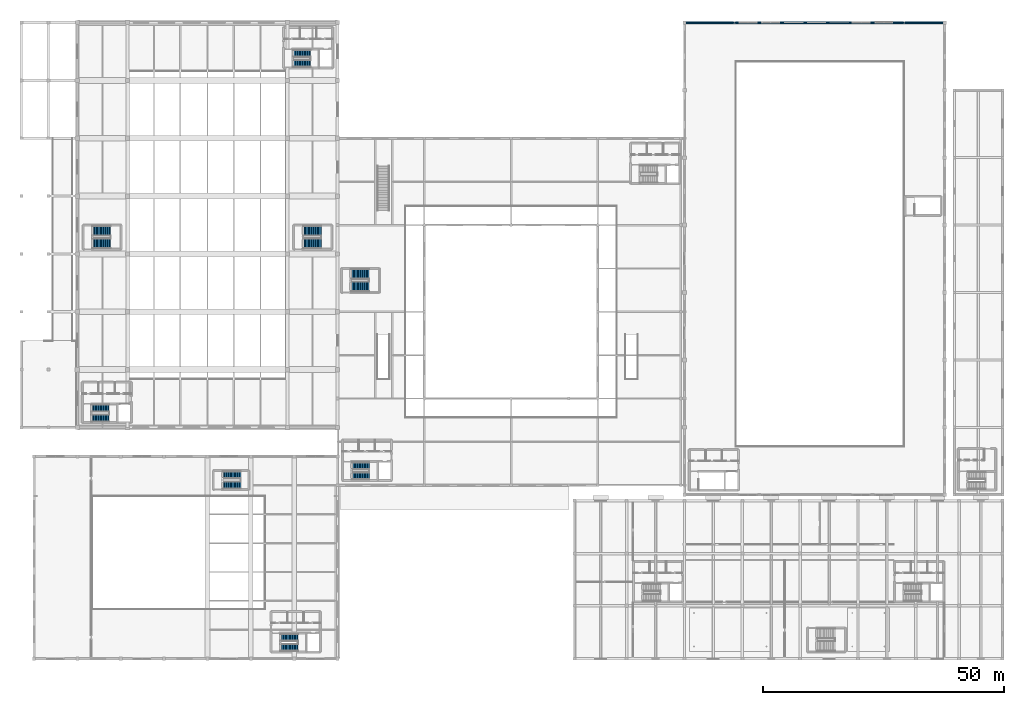
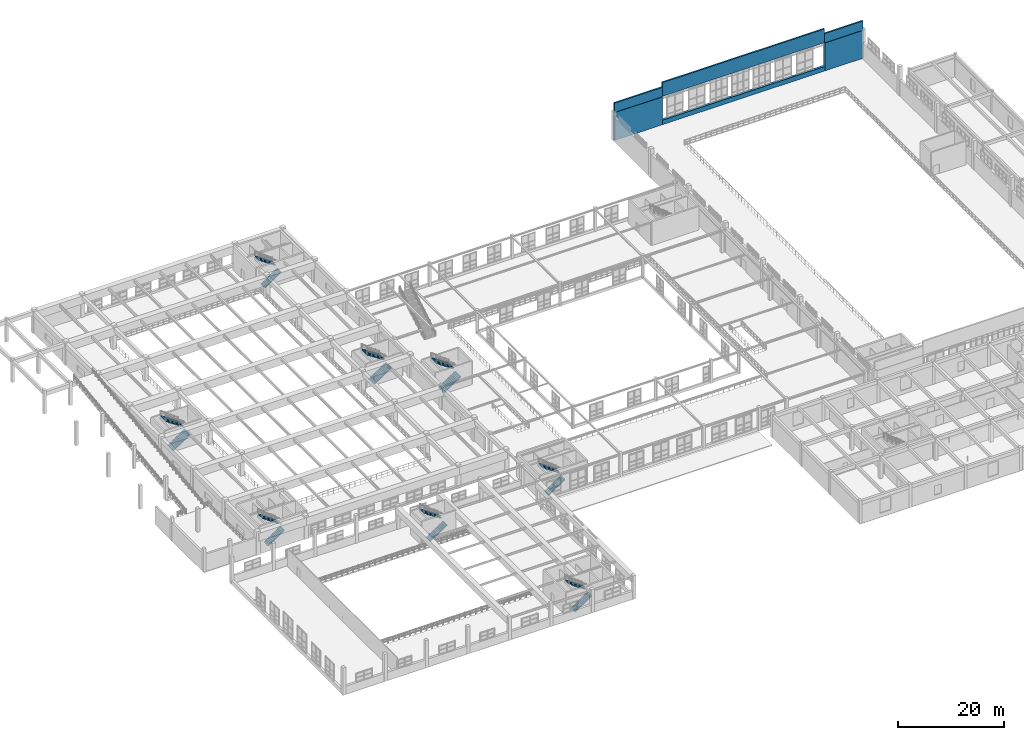
# One storey, part 183 of 197: 16 stair flights, 6 walls, 8 elements without a shape of their own.
"""IFC4 building model written with IfcOpenShell, lengths in metres."""

import ifcopenshell
import ifcopenshell.guid

model = None  # the IFC model being written
_history = None  # IfcOwnerHistory: only IFC2X3 demands one
_inside = {}  # id of a spatial element -> (the spatial element, [elements in it])
_under = {}  # id of a project, library or spatial element -> (it, [spatial elements below it])
_declared = {}  # id of a project -> (the project, [libraries it declares])
_typed = {}  # id of a type object -> (the type object, [elements of that type])
_made_of = {}  # id of a material, layer set ... -> (it, [elements and type objects made of it])


def new_model(schema):
    """Start an empty IFC model of exactly this schema.

    Asked for "IFC4X3", IfcOpenShell would pick the latest addendum, in which some entities
    have other attributes; the version numbers below select the first issue.
    IFC2X3 requires an IfcOwnerHistory on every rooted entity: one is made here for all.
    """
    global model, _history
    if schema == "IFC4X3":
        model = ifcopenshell.file(schema_version=(4, 3, 0, 0))
    else:
        model = ifcopenshell.file(schema=schema)
    _inside.clear()
    _under.clear()
    _declared.clear()
    _typed.clear()
    _made_of.clear()
    _history = None
    if model.schema == "IFC2X3":
        org = make("IfcOrganization", Name="unknown")
        user = make(
            "IfcPersonAndOrganization",
            ThePerson=make("IfcPerson", FamilyName="unknown"),
            TheOrganization=org,
        )
        app = make(
            "IfcApplication",
            ApplicationDeveloper=org,
            Version="unknown",
            ApplicationFullName="unknown",
            ApplicationIdentifier="unknown",
        )
        _history = make(
            "IfcOwnerHistory",
            OwningUser=user,
            OwningApplication=app,
            ChangeAction="ADDED",
            CreationDate=0,
        )
    return model


def make(cls, **values):
    """One entity of the class cls with the attributes given. An attribute that is None is left unset."""
    return model.create_entity(
        cls, **{name: value for name, value in values.items() if value is not None}
    )


def rooted(cls, **values):
    """An entity with a GlobalId (a new one), such as an element, a storey or a relation."""
    return make(cls, GlobalId=ifcopenshell.guid.new(), OwnerHistory=_history, **values)


def si_unit(unit_type, name, prefix=None):
    """IfcSIUnit, for example si_unit("LENGTHUNIT", "METRE", prefix="MILLI")."""
    return make("IfcSIUnit", UnitType=unit_type, Prefix=prefix, Name=name)


def derived_unit(unit_type, elements):
    """IfcDerivedUnit: a product of units, each with its exponent."""
    return make(
        "IfcDerivedUnit",
        Elements=[
            make("IfcDerivedUnitElement", Unit=unit, Exponent=power)
            for unit, power in elements
        ],
        UnitType=unit_type,
    )


def assignment(units):
    """IfcUnitAssignment: the units of a project."""
    return None if units is None else make("IfcUnitAssignment", Units=units)


def point(xyz):
    """IfcCartesianPoint."""
    return None if xyz is None else make("IfcCartesianPoint", Coordinates=xyz)


def direction(xyz):
    """IfcDirection."""
    return None if xyz is None else make("IfcDirection", DirectionRatios=xyz)


def frame(location, z_axis=None, x_axis=None):
    """IfcAxis2Placement3D, a coordinate frame: its origin and axes. An axis left out is left unset."""
    return make(
        "IfcAxis2Placement3D",
        Location=point(location),
        Axis=direction(z_axis),
        RefDirection=direction(x_axis),
    )


def frame_2d(location, x_axis=None):
    """IfcAxis2Placement2D, a coordinate frame in the plane: its origin and x axis."""
    return make(
        "IfcAxis2Placement2D", Location=point(location), RefDirection=direction(x_axis)
    )


def origin():
    """The frame at (0, 0, 0) with its axes left unset."""
    return frame((0.0, 0.0, 0.0))


def place(relative_to, where):
    """IfcLocalPlacement: puts the frame where relative to a parent placement (None: the world)."""
    return make(
        "IfcLocalPlacement", PlacementRelTo=relative_to, RelativePlacement=where
    )


def context(
    kind, dimensions, precision=None, world=None, true_north=None, identifier=None
):
    """IfcGeometricRepresentationContext, for example the 3D "Model" context."""
    return make(
        "IfcGeometricRepresentationContext",
        ContextIdentifier=identifier,
        ContextType=kind,
        CoordinateSpaceDimension=dimensions,
        Precision=precision,
        WorldCoordinateSystem=world,
        TrueNorth=true_north,
    )


def subcontext(parent, identifier, kind, view, scale=None):
    """IfcGeometricRepresentationSubContext, for example "Body" below "Model"."""
    return make(
        "IfcGeometricRepresentationSubContext",
        ContextIdentifier=identifier,
        ContextType=kind,
        ParentContext=parent,
        TargetScale=scale,
        TargetView=view,
    )


def project(units=None, contexts=None):
    """IfcProject with its units and contexts."""
    return rooted(
        "IfcProject",
        Name="project",
        RepresentationContexts=contexts,
        UnitsInContext=assignment(units),
    )


def spatial(cls, under=None, at=None, **own):
    """A site, building, storey or space (cls), placed at a placement, below another one or the project."""
    s = rooted(cls, ObjectPlacement=at, **own)
    if under is not None:
        _under.setdefault(under.id(), (under, []))[1].append(s)
    return s


def polyline(points):
    """IfcPolyline through the points."""
    return make("IfcPolyline", Points=[point(p) for p in points])


def profile(cls, at=None, kind="AREA", **sizes):
    """A parametric profile (cls). Its sizes go by their IFC names, for example OverallWidth=200.0."""
    return make(cls, ProfileType=kind, Position=at, **sizes)


def rectangle(**sizes):
    """IfcRectangleProfileDef."""
    return profile("IfcRectangleProfileDef", **sizes)


def outline(outer, holes=None, kind="AREA"):
    """IfcArbitraryClosedProfileDef: a profile drawn as a closed curve; with holes, ...WithVoids."""
    if holes is None:
        return make("IfcArbitraryClosedProfileDef", ProfileType=kind, OuterCurve=outer)
    return make(
        "IfcArbitraryProfileDefWithVoids",
        ProfileType=kind,
        OuterCurve=outer,
        InnerCurves=holes,
    )


def extrude(swept, where, along, depth):
    """IfcExtrudedAreaSolid: the profile swept, set in the frame where, extruded along a direction by depth."""
    return make(
        "IfcExtrudedAreaSolid",
        SweptArea=swept,
        Position=where,
        ExtrudedDirection=direction(along),
        Depth=depth,
    )


def shape(context_of_items, identifier, shape_type, items):
    """IfcShapeRepresentation: the items that make up one representation, for example the "Body"."""
    return make(
        "IfcShapeRepresentation",
        ContextOfItems=context_of_items,
        RepresentationIdentifier=identifier,
        RepresentationType=shape_type,
        Items=items,
    )


def material(Name=None, Category=None):
    """IfcMaterial."""
    return make("IfcMaterial", Name=Name, Category=Category)


def layer(
    of_material, thickness, ventilated=None, Name=None, Category=None, Priority=None
):
    """IfcMaterialLayer: one layer of a wall or slab, of a material (None: an air gap)."""
    return make(
        "IfcMaterialLayer",
        Material=of_material,
        LayerThickness=thickness,
        IsVentilated=ventilated,
        Name=Name,
        Category=Category,
        Priority=Priority,
    )


def layer_set(layers, Name=None):
    """IfcMaterialLayerSet."""
    return make("IfcMaterialLayerSet", MaterialLayers=layers, LayerSetName=Name)


def made_of(thing, what):
    """Note that an element or type object is made of a material, layer set ...; save() writes the relation."""
    if what is not None:
        _made_of.setdefault(what.id(), (what, []))[1].append(thing)
    return thing


def type_object(cls, material=None, **own):
    """A type object (cls), such as IfcWallType, which elements share."""
    return made_of(rooted(cls, **own), material)


def element(
    cls,
    number,
    at=None,
    inside=None,
    cuts=None,
    type_object=None,
    material=None,
    context=None,
    identifier="Body",
    shape_type=None,
    held_by="IfcProductDefinitionShape",
    body=None,
    shapes=None,
    **own,
):
    """One element of the class cls, such as IfcWall. Its Tag is "e" and its number.

    at: its placement. inside: the storey or other place that contains it. cuts: it is an
    opening in that element (IfcRelVoidsElement). A single representation is given by context,
    identifier, shape_type and body (its items); several are given by shapes. held_by: the class
    of the entity that holds the representations. save() writes the other relations.
    """
    e = rooted(cls, Tag="e%d" % number, ObjectPlacement=at, **own)
    if body is not None:
        shapes = [shape(context, identifier, shape_type, body)]
    if shapes is not None:
        e.Representation = make(held_by, Representations=shapes)
    if inside is not None:
        _inside.setdefault(inside.id(), (inside, []))[1].append(e)
    if cuts is not None:
        rooted(
            "IfcRelVoidsElement", RelatingBuildingElement=cuts, RelatedOpeningElement=e
        )
    if type_object is not None:
        _typed.setdefault(type_object.id(), (type_object, []))[1].append(e)
    return made_of(e, material)


def aggregate(whole, parts):
    """IfcRelAggregates: a whole, such as a stair, and the parts it consists of."""
    return rooted("IfcRelAggregates", RelatingObject=whole, RelatedObjects=parts)


def save(model, path):
    """Write the relations noted so far, then the file.

    IfcRelAggregates (storeys below a building ...), IfcRelContainedInSpatialStructure (elements
    in a storey), IfcRelDefinesByType, IfcRelAssociatesMaterial and IfcRelDeclares: one each for
    every whole, place, type object, material and project.
    """
    for whole, parts in _under.values():
        aggregate(whole, parts)
    for where, things in _inside.values():
        rooted(
            "IfcRelContainedInSpatialStructure",
            RelatedElements=things,
            RelatingStructure=where,
        )
    for kind, things in _typed.values():
        rooted("IfcRelDefinesByType", RelatedObjects=things, RelatingType=kind)
    for what, things in _made_of.values():
        rooted("IfcRelAssociatesMaterial", RelatedObjects=things, RelatingMaterial=what)
    for by, libraries in _declared.values():
        rooted("IfcRelDeclares", RelatingContext=by, RelatedDefinitions=libraries)
    model.write(path)


model = new_model("IFC4")

# Units and contexts
model_context = context("Model", 3, precision=1e-05, world=origin(), true_north=direction((0.0, 1.0)))
body_context = subcontext(model_context, "Body", "Model", "MODEL_VIEW")
ifc_project = project(units=[si_unit("LENGTHUNIT", "METRE"), si_unit("AREAUNIT", "SQUARE_METRE"), si_unit("VOLUMEUNIT", "CUBIC_METRE"), si_unit("PLANEANGLEUNIT", "RADIAN"), si_unit("MASSUNIT", "GRAM", prefix="KILO"), derived_unit("THERMALTRANSMITTANCEUNIT", [(si_unit("POWERUNIT", "WATT"), 1), (si_unit("LENGTHUNIT", "METRE"), -2), (si_unit("THERMODYNAMICTEMPERATUREUNIT", "KELVIN"), -1)])], contexts=[model_context])

# Site, building, storey
site_placement = place(None, origin())
site = spatial("IfcSite", under=ifc_project, at=site_placement, CompositionType="ELEMENT")
building_placement = place(site_placement, origin())
building = spatial("IfcBuilding", under=site, at=building_placement, Name="Almenara Railside Exhibition Hall", CompositionType="ELEMENT")
storey_placement = place(building_placement, frame((0.0, 0.0, 5.39990234375)))
storey = spatial("IfcBuildingStorey", under=building, at=storey_placement, Name="L01", CompositionType="ELEMENT", Elevation=5.39990234375)

# Walls
ifc_material_1 = material(Name="Ochre-white lime-rendered masonry over Concrete C35/45", Category="masonry")
ifc_layer_1 = layer(ifc_material_1, 0.3349609375, Name="Ochre-white lime-rendered masonry over Concrete C35/45")
ifc_layer_set_1 = layer_set([ifc_layer_1], Name="Ochre-white lime-rendered masonry over Concrete C35/45")
wall_type_1 = type_object("IfcWallType", Name="Exterior Belvedere Wall 335mm C35/45", PredefinedType="SOLIDWALL", material=ifc_layer_set_1)
wall_1_placement = place(storey_placement, frame((138.0, 132.0, 6.400146484375), z_axis=(0.0, 0.0, 1.0), x_axis=(1.0, 0.0, 0.0)))
element("IfcWall", 1, at=wall_1_placement, inside=storey, type_object=wall_type_1, Name="Exterior wall 0333", PredefinedType="SOLIDWALL", context=body_context, shape_type="SweptSolid", body=[
    extrude(rectangle(XDim=10.39990234375, YDim=0.3349609375, at=frame_2d((5.199951171875, 0.0))), origin(), (0.0, 0.0, 1.0), 2.118408203125),
])
wall_2_placement = place(storey_placement, frame((183.60009765625, 132.0, 6.400146484375), z_axis=(0.0, 0.0, 1.0), x_axis=(1.0, 0.0, 0.0)))
element("IfcWall", 2, at=wall_2_placement, inside=storey, type_object=wall_type_1, Name="Exterior wall 0334", PredefinedType="SOLIDWALL", context=body_context, shape_type="SweptSolid", body=[
    extrude(rectangle(XDim=8.39990234375, YDim=0.3349609375, at=frame_2d((4.199951171875, 0.0))), origin(), (0.0, 0.0, 1.0), 2.118408203125),
])
wall_3_placement = place(storey_placement, frame((148.39990234375, 132.0, 6.4501953125), z_axis=(0.0, 0.0, 1.0), x_axis=(1.0, 0.0, 0.0)))
element("IfcWall", 3, at=wall_3_placement, inside=storey, type_object=wall_type_1, Name="Exterior wall 0335", PredefinedType="SOLIDWALL", context=body_context, shape_type="SweptSolid", body=[
    extrude(rectangle(XDim=35.2001953125, YDim=0.3349609375, at=frame_2d((17.60009765625, 0.0))), origin(), (0.0, 0.0, 1.0), 3.14990234375),
])
ifc_layer_2 = layer(ifc_material_1, 0.510009765625, Name="Ochre-white lime-rendered masonry over Concrete C35/45")
ifc_layer_set_2 = layer_set([ifc_layer_2], Name="Ochre-white lime-rendered masonry over Concrete C35/45")
wall_type_2 = type_object("IfcWallType", Name="Exterior East Hall Thermal Wall 510mm C35/45", PredefinedType="SOLIDWALL", material=ifc_layer_set_2)
wall_4_placement = place(storey_placement, frame((148.39990234375, 132.0, 0.0), z_axis=(0.0, 0.0, 1.0), x_axis=(-1.0, 0.0, 0.0)))
element("IfcWall", 4, at=wall_4_placement, inside=storey, type_object=wall_type_2, Name="Exterior wall 0103", PredefinedType="SOLIDWALL", context=body_context, shape_type="SweptSolid", body=[
    extrude(rectangle(XDim=10.39990234375, YDim=0.510009765625, at=frame_2d((5.199951171875, 0.0))), origin(), (0.0, 0.0, 1.0), 6.400146484375),
])
wall_5_placement = place(storey_placement, frame((183.60009765625, 132.0, 0.0), z_axis=(0.0, 0.0, 1.0), x_axis=(-1.0, 0.0, 0.0)))
element("IfcWall", 5, at=wall_5_placement, inside=storey, type_object=wall_type_2, Name="Exterior wall 0105", PredefinedType="SOLIDWALL", context=body_context, shape_type="SweptSolid", body=[
    extrude(rectangle(XDim=35.2001953125, YDim=0.510009765625, at=frame_2d((17.60009765625, 0.0))), origin(), (0.0, 0.0, 1.0), 1.050048828125),
])
wall_6_placement = place(storey_placement, frame((192.0, 132.0, 0.0), z_axis=(0.0, 0.0, 1.0), x_axis=(-1.0, 0.0, 0.0)))
element("IfcWall", 6, at=wall_6_placement, inside=storey, type_object=wall_type_2, Name="Exterior wall 0107", PredefinedType="SOLIDWALL", context=body_context, shape_type="SweptSolid", body=[
    extrude(rectangle(XDim=8.39990234375, YDim=0.510009765625, at=frame_2d((4.199951171875, 0.0))), origin(), (0.0, 0.0, 1.0), 6.400146484375),
])

# Stair, stair flights
ifc_material_2 = material(Name="Concrete C35/45", Category="concrete")
stair_type_1 = type_object("IfcStairType", Name="Core Dog-Leg Escape Stair 1520mm", PredefinedType="TWO_STRAIGHT_RUN_STAIR", material=ifc_material_2)
stair_1_placement = place(storey_placement, origin())
stair_1 = element("IfcStair", 7, at=stair_1_placement, inside=storey, type_object=stair_type_1, Name="Escape stair ST-C1-L01", PredefinedType="TWO_STRAIGHT_RUN_STAIR")
stair_flight_type_1 = type_object("IfcStairFlightType", Name="Precast Concrete Stair Flight 1520mm C35/45", PredefinedType="STRAIGHT", material=ifc_material_2)
stair_flight_1_placement = place(storey_placement, frame((14.949951171875, 49.89990234375, 0.0), z_axis=(0.0, 0.0, 1.0), x_axis=(1.0, 0.0, 0.0)))
stair_flight_1 = element("IfcStairFlight", 8, at=stair_flight_1_placement, type_object=stair_flight_type_1, Name="ST-C1-L01 flight 1", NumberOfRisers=15, NumberOfTreads=14, PredefinedType="STRAIGHT", RiserHeight=0.18, TreadLength=0.2607, context=body_context, shape_type="SweptSolid", body=[
    extrude(outline(polyline([(0.0, 0.0), (0.0, 0.179931640625), (0.2607421875, 0.179931640625), (0.2607421875, 0.360107421875), (0.521484375, 0.360107421875), (0.521484375, 0.5400390625), (0.781982421875, 0.5400390625), (0.781982421875, 0.719970703125), (1.042724609375, 0.719970703125), (1.042724609375, 0.89990234375), (1.303466796875, 0.89990234375), (1.303466796875, 1.080078125), (1.564208984375, 1.080078125), (1.564208984375, 1.260009765625), (1.824951171875, 1.260009765625), (1.824951171875, 1.43994140625), (2.085693359375, 1.43994140625), (2.085693359375, 1.6201171875), (2.34619140625, 1.6201171875), (2.34619140625, 1.800048828125), (2.60693359375, 1.800048828125), (2.60693359375, 1.97998046875), (2.86767578125, 1.97998046875), (2.86767578125, 2.159912109375), (3.12841796875, 2.159912109375), (3.12841796875, 2.340087890625), (3.38916015625, 2.340087890625), (3.38916015625, 2.52001953125), (3.64990234375, 2.52001953125), (3.64990234375, 2.699951171875), (3.64990234375, 2.337890625), (0.263916015625, 0.0), (0.0, 0.0)])), frame((0.0, 0.760009765625, 0.0), z_axis=(0.0, -1.0, 0.0), x_axis=(1.0, 0.0, 0.0)), (0.0, 0.0, 1.0), 1.52001953125),
])
stair_flight_2_placement = place(storey_placement, frame((18.599853515625, 52.0, 2.7001953125), z_axis=(0.0, 0.0, 1.0), x_axis=(-1.0, 0.0, 0.0)))
stair_flight_2 = element("IfcStairFlight", 9, at=stair_flight_2_placement, type_object=stair_flight_type_1, Name="ST-C1-L01 flight 2", NumberOfRisers=15, NumberOfTreads=14, PredefinedType="STRAIGHT", RiserHeight=0.18, TreadLength=0.2607, context=body_context, shape_type="SweptSolid", body=[
    extrude(outline(polyline([(0.0, 0.0), (0.0, 0.179931640625), (0.2607421875, 0.179931640625), (0.2607421875, 0.360107421875), (0.521484375, 0.360107421875), (0.521484375, 0.5400390625), (0.781982421875, 0.5400390625), (0.781982421875, 0.719970703125), (1.042724609375, 0.719970703125), (1.042724609375, 0.89990234375), (1.303466796875, 0.89990234375), (1.303466796875, 1.080078125), (1.564208984375, 1.080078125), (1.564208984375, 1.260009765625), (1.824951171875, 1.260009765625), (1.824951171875, 1.43994140625), (2.085693359375, 1.43994140625), (2.085693359375, 1.6201171875), (2.34619140625, 1.6201171875), (2.34619140625, 1.800048828125), (2.60693359375, 1.800048828125), (2.60693359375, 1.97998046875), (2.86767578125, 1.97998046875), (2.86767578125, 2.159912109375), (3.12841796875, 2.159912109375), (3.12841796875, 2.340087890625), (3.38916015625, 2.340087890625), (3.38916015625, 2.52001953125), (3.64990234375, 2.52001953125), (3.64990234375, 2.699951171875), (3.64990234375, 2.337890625), (0.263916015625, 0.0), (0.0, 0.0)])), frame((0.0, 0.760009765625, 0.0), z_axis=(0.0, -1.0, 0.0), x_axis=(1.0, 0.0, 0.0)), (0.0, 0.0, 1.0), 1.52001953125),
])
aggregate(stair_1, [stair_flight_1, stair_flight_2])

stair_2_placement = place(storey_placement, origin())
stair_2 = element("IfcStair", 10, at=stair_2_placement, inside=storey, type_object=stair_type_1, Name="Escape stair ST-C2-L01", PredefinedType="TWO_STRAIGHT_RUN_STAIR")
stair_flight_3_placement = place(storey_placement, frame((56.75, 123.5, 0.0), z_axis=(0.0, 0.0, 1.0), x_axis=(1.0, 0.0, 0.0)))
stair_flight_3 = element("IfcStairFlight", 11, at=stair_flight_3_placement, type_object=stair_flight_type_1, Name="ST-C2-L01 flight 1", NumberOfRisers=15, NumberOfTreads=14, PredefinedType="STRAIGHT", RiserHeight=0.18, TreadLength=0.2607, context=body_context, shape_type="SweptSolid", body=[
    extrude(outline(polyline([(0.0, 0.0), (0.0, 0.179931640625), (0.2607421875, 0.179931640625), (0.2607421875, 0.360107421875), (0.521484375, 0.360107421875), (0.521484375, 0.5400390625), (0.781982421875, 0.5400390625), (0.781982421875, 0.719970703125), (1.042724609375, 0.719970703125), (1.042724609375, 0.89990234375), (1.303466796875, 0.89990234375), (1.303466796875, 1.080078125), (1.564208984375, 1.080078125), (1.564208984375, 1.260009765625), (1.824951171875, 1.260009765625), (1.824951171875, 1.43994140625), (2.085693359375, 1.43994140625), (2.085693359375, 1.6201171875), (2.34619140625, 1.6201171875), (2.34619140625, 1.800048828125), (2.60693359375, 1.800048828125), (2.60693359375, 1.97998046875), (2.86767578125, 1.97998046875), (2.86767578125, 2.159912109375), (3.12841796875, 2.159912109375), (3.12841796875, 2.340087890625), (3.38916015625, 2.340087890625), (3.38916015625, 2.52001953125), (3.64990234375, 2.52001953125), (3.64990234375, 2.699951171875), (3.64990234375, 2.337890625), (0.263916015625, 0.0), (0.0, 0.0)])), frame((0.0, 0.760009765625, 0.0), z_axis=(0.0, -1.0, 0.0), x_axis=(1.0, 0.0, 0.0)), (0.0, 0.0, 1.0), 1.52001953125),
])
stair_flight_4_placement = place(storey_placement, frame((60.39990234375, 125.60009765625, 2.7001953125), z_axis=(0.0, 0.0, 1.0), x_axis=(-1.0, 0.0, 0.0)))
stair_flight_4 = element("IfcStairFlight", 12, at=stair_flight_4_placement, type_object=stair_flight_type_1, Name="ST-C2-L01 flight 2", NumberOfRisers=15, NumberOfTreads=14, PredefinedType="STRAIGHT", RiserHeight=0.18, TreadLength=0.2607, context=body_context, shape_type="SweptSolid", body=[
    extrude(outline(polyline([(0.0, 0.0), (0.0, 0.179931640625), (0.2607421875, 0.179931640625), (0.2607421875, 0.360107421875), (0.521484375, 0.360107421875), (0.521484375, 0.5400390625), (0.781982421875, 0.5400390625), (0.781982421875, 0.719970703125), (1.042724609375, 0.719970703125), (1.042724609375, 0.89990234375), (1.303466796875, 0.89990234375), (1.303466796875, 1.080078125), (1.564208984375, 1.080078125), (1.564208984375, 1.260009765625), (1.824951171875, 1.260009765625), (1.824951171875, 1.43994140625), (2.085693359375, 1.43994140625), (2.085693359375, 1.6201171875), (2.34619140625, 1.6201171875), (2.34619140625, 1.800048828125), (2.60693359375, 1.800048828125), (2.60693359375, 1.97998046875), (2.86767578125, 1.97998046875), (2.86767578125, 2.159912109375), (3.12841796875, 2.159912109375), (3.12841796875, 2.340087890625), (3.38916015625, 2.340087890625), (3.38916015625, 2.52001953125), (3.64990234375, 2.52001953125), (3.64990234375, 2.699951171875), (3.64990234375, 2.337890625), (0.263916015625, 0.0), (0.0, 0.0)])), frame((0.0, 0.760009765625, 0.0), z_axis=(0.0, -1.0, 0.0), x_axis=(1.0, 0.0, 0.0)), (0.0, 0.0, 1.0), 1.52001953125),
])
aggregate(stair_2, [stair_flight_3, stair_flight_4])

stair_3_placement = place(storey_placement, origin())
stair_3 = element("IfcStair", 13, at=stair_3_placement, inside=storey, type_object=stair_type_1, Name="Escape stair ST-C4-L01", PredefinedType="TWO_STRAIGHT_RUN_STAIR")
stair_flight_5_placement = place(storey_placement, frame((68.949951171875, 37.89990234375, 0.0), z_axis=(0.0, 0.0, 1.0), x_axis=(1.0, 0.0, 0.0)))
stair_flight_5 = element("IfcStairFlight", 14, at=stair_flight_5_placement, type_object=stair_flight_type_1, Name="ST-C4-L01 flight 1", NumberOfRisers=15, NumberOfTreads=14, PredefinedType="STRAIGHT", RiserHeight=0.18, TreadLength=0.2607, context=body_context, shape_type="SweptSolid", body=[
    extrude(outline(polyline([(0.0, 0.0), (0.0, 0.179931640625), (0.2607421875, 0.179931640625), (0.2607421875, 0.360107421875), (0.521484375, 0.360107421875), (0.521484375, 0.5400390625), (0.781982421875, 0.5400390625), (0.781982421875, 0.719970703125), (1.042724609375, 0.719970703125), (1.042724609375, 0.89990234375), (1.303466796875, 0.89990234375), (1.303466796875, 1.080078125), (1.564208984375, 1.080078125), (1.564208984375, 1.260009765625), (1.824951171875, 1.260009765625), (1.824951171875, 1.43994140625), (2.085693359375, 1.43994140625), (2.085693359375, 1.6201171875), (2.34619140625, 1.6201171875), (2.34619140625, 1.800048828125), (2.60693359375, 1.800048828125), (2.60693359375, 1.97998046875), (2.86767578125, 1.97998046875), (2.86767578125, 2.159912109375), (3.12841796875, 2.159912109375), (3.12841796875, 2.340087890625), (3.38916015625, 2.340087890625), (3.38916015625, 2.52001953125), (3.64990234375, 2.52001953125), (3.64990234375, 2.699951171875), (3.64990234375, 2.337890625), (0.263916015625, 0.0), (0.0, 0.0)])), frame((0.0, 0.760009765625, 0.0), z_axis=(0.0, -1.0, 0.0), x_axis=(1.0, 0.0, 0.0)), (0.0, 0.0, 1.0), 1.52001953125),
])
stair_flight_6_placement = place(storey_placement, frame((72.599853515625, 40.0, 2.7001953125), z_axis=(0.0, 0.0, 1.0), x_axis=(-1.0, 0.0, 0.0)))
stair_flight_6 = element("IfcStairFlight", 15, at=stair_flight_6_placement, type_object=stair_flight_type_1, Name="ST-C4-L01 flight 2", NumberOfRisers=15, NumberOfTreads=14, PredefinedType="STRAIGHT", RiserHeight=0.18, TreadLength=0.2607, context=body_context, shape_type="SweptSolid", body=[
    extrude(outline(polyline([(0.0, 0.0), (0.0, 0.179931640625), (0.2607421875, 0.179931640625), (0.2607421875, 0.360107421875), (0.521484375, 0.360107421875), (0.521484375, 0.5400390625), (0.781982421875, 0.5400390625), (0.781982421875, 0.719970703125), (1.042724609375, 0.719970703125), (1.042724609375, 0.89990234375), (1.303466796875, 0.89990234375), (1.303466796875, 1.080078125), (1.564208984375, 1.080078125), (1.564208984375, 1.260009765625), (1.824951171875, 1.260009765625), (1.824951171875, 1.43994140625), (2.085693359375, 1.43994140625), (2.085693359375, 1.6201171875), (2.34619140625, 1.6201171875), (2.34619140625, 1.800048828125), (2.60693359375, 1.800048828125), (2.60693359375, 1.97998046875), (2.86767578125, 1.97998046875), (2.86767578125, 2.159912109375), (3.12841796875, 2.159912109375), (3.12841796875, 2.340087890625), (3.38916015625, 2.340087890625), (3.38916015625, 2.52001953125), (3.64990234375, 2.52001953125), (3.64990234375, 2.699951171875), (3.64990234375, 2.337890625), (0.263916015625, 0.0), (0.0, 0.0)])), frame((0.0, 0.760009765625, 0.0), z_axis=(0.0, -1.0, 0.0), x_axis=(1.0, 0.0, 0.0)), (0.0, 0.0, 1.0), 1.52001953125),
])
aggregate(stair_3, [stair_flight_5, stair_flight_6])

stair_4_placement = place(storey_placement, origin())
stair_4 = element("IfcStair", 16, at=stair_4_placement, inside=storey, type_object=stair_type_1, Name="Escape stair ST-C7-L01", PredefinedType="TWO_STRAIGHT_RUN_STAIR")
stair_flight_7_placement = place(storey_placement, frame((54.14990234375, 2.300048828125, 0.0), z_axis=(0.0, 0.0, 1.0), x_axis=(1.0, 0.0, 0.0)))
stair_flight_7 = element("IfcStairFlight", 17, at=stair_flight_7_placement, type_object=stair_flight_type_1, Name="ST-C7-L01 flight 1", NumberOfRisers=15, NumberOfTreads=14, PredefinedType="STRAIGHT", RiserHeight=0.18, TreadLength=0.2607, context=body_context, shape_type="SweptSolid", body=[
    extrude(outline(polyline([(0.0, 0.0), (0.0, 0.179931640625), (0.2607421875, 0.179931640625), (0.2607421875, 0.360107421875), (0.521484375, 0.360107421875), (0.521484375, 0.5400390625), (0.781982421875, 0.5400390625), (0.781982421875, 0.719970703125), (1.042724609375, 0.719970703125), (1.042724609375, 0.89990234375), (1.303466796875, 0.89990234375), (1.303466796875, 1.080078125), (1.564208984375, 1.080078125), (1.564208984375, 1.260009765625), (1.824951171875, 1.260009765625), (1.824951171875, 1.43994140625), (2.085693359375, 1.43994140625), (2.085693359375, 1.6201171875), (2.34619140625, 1.6201171875), (2.34619140625, 1.800048828125), (2.60693359375, 1.800048828125), (2.60693359375, 1.97998046875), (2.86767578125, 1.97998046875), (2.86767578125, 2.159912109375), (3.12841796875, 2.159912109375), (3.12841796875, 2.340087890625), (3.38916015625, 2.340087890625), (3.38916015625, 2.52001953125), (3.64990234375, 2.52001953125), (3.64990234375, 2.699951171875), (3.64990234375, 2.337890625), (0.263916015625, 0.0), (0.0, 0.0)])), frame((0.0, 0.760009765625, 0.0), z_axis=(0.0, -1.0, 0.0), x_axis=(1.0, 0.0, 0.0)), (0.0, 0.0, 1.0), 1.52001953125),
])
stair_flight_8_placement = place(storey_placement, frame((57.7998046875, 4.39990234375, 2.7001953125), z_axis=(0.0, 0.0, 1.0), x_axis=(-1.0, 0.0, 0.0)))
stair_flight_8 = element("IfcStairFlight", 18, at=stair_flight_8_placement, type_object=stair_flight_type_1, Name="ST-C7-L01 flight 2", NumberOfRisers=15, NumberOfTreads=14, PredefinedType="STRAIGHT", RiserHeight=0.18, TreadLength=0.2607, context=body_context, shape_type="SweptSolid", body=[
    extrude(outline(polyline([(0.0, 0.0), (0.0, 0.179931640625), (0.2607421875, 0.179931640625), (0.2607421875, 0.360107421875), (0.521484375, 0.360107421875), (0.521484375, 0.5400390625), (0.781982421875, 0.5400390625), (0.781982421875, 0.719970703125), (1.042724609375, 0.719970703125), (1.042724609375, 0.89990234375), (1.303466796875, 0.89990234375), (1.303466796875, 1.080078125), (1.564208984375, 1.080078125), (1.564208984375, 1.260009765625), (1.824951171875, 1.260009765625), (1.824951171875, 1.43994140625), (2.085693359375, 1.43994140625), (2.085693359375, 1.6201171875), (2.34619140625, 1.6201171875), (2.34619140625, 1.800048828125), (2.60693359375, 1.800048828125), (2.60693359375, 1.97998046875), (2.86767578125, 1.97998046875), (2.86767578125, 2.159912109375), (3.12841796875, 2.159912109375), (3.12841796875, 2.340087890625), (3.38916015625, 2.340087890625), (3.38916015625, 2.52001953125), (3.64990234375, 2.52001953125), (3.64990234375, 2.699951171875), (3.64990234375, 2.337890625), (0.263916015625, 0.0), (0.0, 0.0)])), frame((0.0, 0.760009765625, 0.0), z_axis=(0.0, -1.0, 0.0), x_axis=(1.0, 0.0, 0.0)), (0.0, 0.0, 1.0), 1.52001953125),
])
aggregate(stair_4, [stair_flight_7, stair_flight_8])

stair_5_placement = place(storey_placement, origin())
stair_5 = element("IfcStair", 19, at=stair_5_placement, inside=storey, type_object=stair_type_1, Name="Escape stair HST5-L01", PredefinedType="TWO_STRAIGHT_RUN_STAIR")
stair_flight_9_placement = place(storey_placement, frame((42.14990234375, 36.0, 0.0), z_axis=(0.0, 0.0, 1.0), x_axis=(1.0, 0.0, 0.0)))
stair_flight_9 = element("IfcStairFlight", 20, at=stair_flight_9_placement, type_object=stair_flight_type_1, Name="HST5-L01 flight 1", NumberOfRisers=15, NumberOfTreads=14, PredefinedType="STRAIGHT", RiserHeight=0.18, TreadLength=0.27, context=body_context, shape_type="SweptSolid", body=[
    extrude(outline(polyline([(0.0, 0.0), (0.0, 0.179931640625), (0.27001953125, 0.179931640625), (0.27001953125, 0.360107421875), (0.5400390625, 0.360107421875), (0.5400390625, 0.5400390625), (0.81005859375, 0.5400390625), (0.81005859375, 0.719970703125), (1.080078125, 0.719970703125), (1.080078125, 0.89990234375), (1.35009765625, 0.89990234375), (1.35009765625, 1.080078125), (1.6201171875, 1.080078125), (1.6201171875, 1.260009765625), (1.889892578125, 1.260009765625), (1.889892578125, 1.43994140625), (2.159912109375, 1.43994140625), (2.159912109375, 1.6201171875), (2.429931640625, 1.6201171875), (2.429931640625, 1.800048828125), (2.699951171875, 1.800048828125), (2.699951171875, 1.97998046875), (2.969970703125, 1.97998046875), (2.969970703125, 2.159912109375), (3.239990234375, 2.159912109375), (3.239990234375, 2.340087890625), (3.510009765625, 2.340087890625), (3.510009765625, 2.52001953125), (3.780029296875, 2.52001953125), (3.780029296875, 2.699951171875), (3.780029296875, 2.33984375), (0.270263671875, 0.0), (0.0, 0.0)])), frame((0.0, 0.760009765625, 0.0), z_axis=(0.0, -1.0, 0.0), x_axis=(1.0, 0.0, 0.0)), (0.0, 0.0, 1.0), 1.52001953125),
])
stair_flight_10_placement = place(storey_placement, frame((45.929931640625, 38.14990234375, 2.7001953125), z_axis=(0.0, 0.0, 1.0), x_axis=(-1.0, 0.0, 0.0)))
stair_flight_10 = element("IfcStairFlight", 21, at=stair_flight_10_placement, type_object=stair_flight_type_1, Name="HST5-L01 flight 2", NumberOfRisers=15, NumberOfTreads=14, PredefinedType="STRAIGHT", RiserHeight=0.18, TreadLength=0.27, context=body_context, shape_type="SweptSolid", body=[
    extrude(outline(polyline([(0.0, 0.0), (0.0, 0.179931640625), (0.27001953125, 0.179931640625), (0.27001953125, 0.360107421875), (0.5400390625, 0.360107421875), (0.5400390625, 0.5400390625), (0.81005859375, 0.5400390625), (0.81005859375, 0.719970703125), (1.080078125, 0.719970703125), (1.080078125, 0.89990234375), (1.35009765625, 0.89990234375), (1.35009765625, 1.080078125), (1.6201171875, 1.080078125), (1.6201171875, 1.260009765625), (1.889892578125, 1.260009765625), (1.889892578125, 1.43994140625), (2.159912109375, 1.43994140625), (2.159912109375, 1.6201171875), (2.429931640625, 1.6201171875), (2.429931640625, 1.800048828125), (2.699951171875, 1.800048828125), (2.699951171875, 1.97998046875), (2.969970703125, 1.97998046875), (2.969970703125, 2.159912109375), (3.239990234375, 2.159912109375), (3.239990234375, 2.340087890625), (3.510009765625, 2.340087890625), (3.510009765625, 2.52001953125), (3.780029296875, 2.52001953125), (3.780029296875, 2.699951171875), (3.780029296875, 2.33984375), (0.270263671875, 0.0), (0.0, 0.0)])), frame((0.0, 0.760009765625, 0.0), z_axis=(0.0, -1.0, 0.0), x_axis=(1.0, 0.0, 0.0)), (0.0, 0.0, 1.0), 1.52001953125),
])
aggregate(stair_5, [stair_flight_9, stair_flight_10])

stair_type_2 = type_object("IfcStairType", Name="Hall Escape Dog-Leg Stair 2100mm", PredefinedType="TWO_STRAIGHT_RUN_STAIR", material=ifc_material_2)
stair_6_placement = place(storey_placement, origin())
stair_6 = element("IfcStair", 22, at=stair_6_placement, inside=storey, type_object=stair_type_2, Name="Escape stair HST1-L01", PredefinedType="TWO_STRAIGHT_RUN_STAIR")
stair_flight_type_2 = type_object("IfcStairFlightType", Name="Precast Concrete Stair Flight 2100mm C35/45", PredefinedType="STRAIGHT", material=ifc_material_2)
stair_flight_11_placement = place(storey_placement, frame((15.14990234375, 86.18994140625, 0.0), z_axis=(0.0, 0.0, 1.0), x_axis=(1.0, 0.0, 0.0)))
stair_flight_11 = element("IfcStairFlight", 23, at=stair_flight_11_placement, type_object=stair_flight_type_2, Name="HST1-L01 flight 1", NumberOfRisers=15, NumberOfTreads=14, PredefinedType="STRAIGHT", RiserHeight=0.18, TreadLength=0.27, context=body_context, shape_type="SweptSolid", body=[
    extrude(outline(polyline([(0.0, 0.0), (0.0, 0.179931640625), (0.27001953125, 0.179931640625), (0.27001953125, 0.360107421875), (0.5400390625, 0.360107421875), (0.5400390625, 0.5400390625), (0.81005859375, 0.5400390625), (0.81005859375, 0.719970703125), (1.080078125, 0.719970703125), (1.080078125, 0.89990234375), (1.35009765625, 0.89990234375), (1.35009765625, 1.080078125), (1.6201171875, 1.080078125), (1.6201171875, 1.260009765625), (1.889892578125, 1.260009765625), (1.889892578125, 1.43994140625), (2.159912109375, 1.43994140625), (2.159912109375, 1.6201171875), (2.429931640625, 1.6201171875), (2.429931640625, 1.800048828125), (2.699951171875, 1.800048828125), (2.699951171875, 1.97998046875), (2.969970703125, 1.97998046875), (2.969970703125, 2.159912109375), (3.239990234375, 2.159912109375), (3.239990234375, 2.340087890625), (3.510009765625, 2.340087890625), (3.510009765625, 2.52001953125), (3.780029296875, 2.52001953125), (3.780029296875, 2.699951171875), (3.780029296875, 2.33984375), (0.270263671875, 0.0), (0.0, 0.0)])), frame((0.0, 1.050048828125, 0.0), z_axis=(0.0, -1.0, 0.0), x_axis=(1.0, 0.0, 0.0)), (0.0, 0.0, 1.0), 2.10009765625),
])
stair_flight_12_placement = place(storey_placement, frame((18.929931640625, 88.81005859375, 2.7001953125), z_axis=(0.0, 0.0, 1.0), x_axis=(-1.0, 0.0, 0.0)))
stair_flight_12 = element("IfcStairFlight", 24, at=stair_flight_12_placement, type_object=stair_flight_type_2, Name="HST1-L01 flight 2", NumberOfRisers=15, NumberOfTreads=14, PredefinedType="STRAIGHT", RiserHeight=0.18, TreadLength=0.27, context=body_context, shape_type="SweptSolid", body=[
    extrude(outline(polyline([(0.0, 0.0), (0.0, 0.179931640625), (0.27001953125, 0.179931640625), (0.27001953125, 0.360107421875), (0.5400390625, 0.360107421875), (0.5400390625, 0.5400390625), (0.81005859375, 0.5400390625), (0.81005859375, 0.719970703125), (1.080078125, 0.719970703125), (1.080078125, 0.89990234375), (1.35009765625, 0.89990234375), (1.35009765625, 1.080078125), (1.6201171875, 1.080078125), (1.6201171875, 1.260009765625), (1.889892578125, 1.260009765625), (1.889892578125, 1.43994140625), (2.159912109375, 1.43994140625), (2.159912109375, 1.6201171875), (2.429931640625, 1.6201171875), (2.429931640625, 1.800048828125), (2.699951171875, 1.800048828125), (2.699951171875, 1.97998046875), (2.969970703125, 1.97998046875), (2.969970703125, 2.159912109375), (3.239990234375, 2.159912109375), (3.239990234375, 2.340087890625), (3.510009765625, 2.340087890625), (3.510009765625, 2.52001953125), (3.780029296875, 2.52001953125), (3.780029296875, 2.699951171875), (3.780029296875, 2.33984375), (0.270263671875, 0.0), (0.0, 0.0)])), frame((0.0, 1.050048828125, 0.0), z_axis=(0.0, -1.0, 0.0), x_axis=(1.0, 0.0, 0.0)), (0.0, 0.0, 1.0), 2.10009765625),
])
aggregate(stair_6, [stair_flight_11, stair_flight_12])

stair_7_placement = place(storey_placement, origin())
stair_7 = element("IfcStair", 25, at=stair_7_placement, inside=storey, type_object=stair_type_2, Name="Escape stair HST2-L01", PredefinedType="TWO_STRAIGHT_RUN_STAIR")
stair_flight_13_placement = place(storey_placement, frame((58.85009765625, 86.18994140625, 0.0), z_axis=(0.0, 0.0, 1.0), x_axis=(1.0, 0.0, 0.0)))
stair_flight_13 = element("IfcStairFlight", 26, at=stair_flight_13_placement, type_object=stair_flight_type_2, Name="HST2-L01 flight 1", NumberOfRisers=15, NumberOfTreads=14, PredefinedType="STRAIGHT", RiserHeight=0.18, TreadLength=0.27, context=body_context, shape_type="SweptSolid", body=[
    extrude(outline(polyline([(0.0, 0.0), (0.0, 0.179931640625), (0.27001953125, 0.179931640625), (0.27001953125, 0.360107421875), (0.5400390625, 0.360107421875), (0.5400390625, 0.5400390625), (0.81005859375, 0.5400390625), (0.81005859375, 0.719970703125), (1.080078125, 0.719970703125), (1.080078125, 0.89990234375), (1.35009765625, 0.89990234375), (1.35009765625, 1.080078125), (1.6201171875, 1.080078125), (1.6201171875, 1.260009765625), (1.889892578125, 1.260009765625), (1.889892578125, 1.43994140625), (2.159912109375, 1.43994140625), (2.159912109375, 1.6201171875), (2.429931640625, 1.6201171875), (2.429931640625, 1.800048828125), (2.699951171875, 1.800048828125), (2.699951171875, 1.97998046875), (2.969970703125, 1.97998046875), (2.969970703125, 2.159912109375), (3.239990234375, 2.159912109375), (3.239990234375, 2.340087890625), (3.510009765625, 2.340087890625), (3.510009765625, 2.52001953125), (3.780029296875, 2.52001953125), (3.780029296875, 2.699951171875), (3.780029296875, 2.33984375), (0.270263671875, 0.0), (0.0, 0.0)])), frame((0.0, 1.050048828125, 0.0), z_axis=(0.0, -1.0, 0.0), x_axis=(1.0, 0.0, 0.0)), (0.0, 0.0, 1.0), 2.10009765625),
])
stair_flight_14_placement = place(storey_placement, frame((62.6298828125, 88.81005859375, 2.7001953125), z_axis=(0.0, 0.0, 1.0), x_axis=(-1.0, 0.0, 0.0)))
stair_flight_14 = element("IfcStairFlight", 27, at=stair_flight_14_placement, type_object=stair_flight_type_2, Name="HST2-L01 flight 2", NumberOfRisers=15, NumberOfTreads=14, PredefinedType="STRAIGHT", RiserHeight=0.18, TreadLength=0.27, context=body_context, shape_type="SweptSolid", body=[
    extrude(outline(polyline([(0.0, 0.0), (0.0, 0.179931640625), (0.27001953125, 0.179931640625), (0.27001953125, 0.360107421875), (0.5400390625, 0.360107421875), (0.5400390625, 0.5400390625), (0.81005859375, 0.5400390625), (0.81005859375, 0.719970703125), (1.080078125, 0.719970703125), (1.080078125, 0.89990234375), (1.35009765625, 0.89990234375), (1.35009765625, 1.080078125), (1.6201171875, 1.080078125), (1.6201171875, 1.260009765625), (1.889892578125, 1.260009765625), (1.889892578125, 1.43994140625), (2.159912109375, 1.43994140625), (2.159912109375, 1.6201171875), (2.429931640625, 1.6201171875), (2.429931640625, 1.800048828125), (2.699951171875, 1.800048828125), (2.699951171875, 1.97998046875), (2.969970703125, 1.97998046875), (2.969970703125, 2.159912109375), (3.239990234375, 2.159912109375), (3.239990234375, 2.340087890625), (3.510009765625, 2.340087890625), (3.510009765625, 2.52001953125), (3.780029296875, 2.52001953125), (3.780029296875, 2.699951171875), (3.780029296875, 2.33984375), (0.270263671875, 0.0), (0.0, 0.0)])), frame((0.0, 1.050048828125, 0.0), z_axis=(0.0, -1.0, 0.0), x_axis=(1.0, 0.0, 0.0)), (0.0, 0.0, 1.0), 2.10009765625),
])
aggregate(stair_7, [stair_flight_13, stair_flight_14])

stair_8_placement = place(storey_placement, origin())
stair_8 = element("IfcStair", 28, at=stair_8_placement, inside=storey, type_object=stair_type_2, Name="Escape stair HST3-L01", PredefinedType="TWO_STRAIGHT_RUN_STAIR")
stair_flight_15_placement = place(storey_placement, frame((68.75, 77.18994140625, 0.0), z_axis=(0.0, 0.0, 1.0), x_axis=(1.0, 0.0, 0.0)))
stair_flight_15 = element("IfcStairFlight", 29, at=stair_flight_15_placement, type_object=stair_flight_type_2, Name="HST3-L01 flight 1", NumberOfRisers=15, NumberOfTreads=14, PredefinedType="STRAIGHT", RiserHeight=0.18, TreadLength=0.27, context=body_context, shape_type="SweptSolid", body=[
    extrude(outline(polyline([(0.0, 0.0), (0.0, 0.179931640625), (0.27001953125, 0.179931640625), (0.27001953125, 0.360107421875), (0.5400390625, 0.360107421875), (0.5400390625, 0.5400390625), (0.81005859375, 0.5400390625), (0.81005859375, 0.719970703125), (1.080078125, 0.719970703125), (1.080078125, 0.89990234375), (1.35009765625, 0.89990234375), (1.35009765625, 1.080078125), (1.6201171875, 1.080078125), (1.6201171875, 1.260009765625), (1.889892578125, 1.260009765625), (1.889892578125, 1.43994140625), (2.159912109375, 1.43994140625), (2.159912109375, 1.6201171875), (2.429931640625, 1.6201171875), (2.429931640625, 1.800048828125), (2.699951171875, 1.800048828125), (2.699951171875, 1.97998046875), (2.969970703125, 1.97998046875), (2.969970703125, 2.159912109375), (3.239990234375, 2.159912109375), (3.239990234375, 2.340087890625), (3.510009765625, 2.340087890625), (3.510009765625, 2.52001953125), (3.780029296875, 2.52001953125), (3.780029296875, 2.699951171875), (3.780029296875, 2.33984375), (0.270263671875, 0.0), (0.0, 0.0)])), frame((0.0, 1.050048828125, 0.0), z_axis=(0.0, -1.0, 0.0), x_axis=(1.0, 0.0, 0.0)), (0.0, 0.0, 1.0), 2.10009765625),
])
stair_flight_16_placement = place(storey_placement, frame((72.530029296875, 79.81005859375, 2.7001953125), z_axis=(0.0, 0.0, 1.0), x_axis=(-1.0, 0.0, 0.0)))
stair_flight_16 = element("IfcStairFlight", 30, at=stair_flight_16_placement, type_object=stair_flight_type_2, Name="HST3-L01 flight 2", NumberOfRisers=15, NumberOfTreads=14, PredefinedType="STRAIGHT", RiserHeight=0.18, TreadLength=0.27, context=body_context, shape_type="SweptSolid", body=[
    extrude(outline(polyline([(0.0, 0.0), (0.0, 0.179931640625), (0.27001953125, 0.179931640625), (0.27001953125, 0.360107421875), (0.5400390625, 0.360107421875), (0.5400390625, 0.5400390625), (0.81005859375, 0.5400390625), (0.81005859375, 0.719970703125), (1.080078125, 0.719970703125), (1.080078125, 0.89990234375), (1.35009765625, 0.89990234375), (1.35009765625, 1.080078125), (1.6201171875, 1.080078125), (1.6201171875, 1.260009765625), (1.889892578125, 1.260009765625), (1.889892578125, 1.43994140625), (2.159912109375, 1.43994140625), (2.159912109375, 1.6201171875), (2.429931640625, 1.6201171875), (2.429931640625, 1.800048828125), (2.699951171875, 1.800048828125), (2.699951171875, 1.97998046875), (2.969970703125, 1.97998046875), (2.969970703125, 2.159912109375), (3.239990234375, 2.159912109375), (3.239990234375, 2.340087890625), (3.510009765625, 2.340087890625), (3.510009765625, 2.52001953125), (3.780029296875, 2.52001953125), (3.780029296875, 2.699951171875), (3.780029296875, 2.33984375), (0.270263671875, 0.0), (0.0, 0.0)])), frame((0.0, 1.050048828125, 0.0), z_axis=(0.0, -1.0, 0.0), x_axis=(1.0, 0.0, 0.0)), (0.0, 0.0, 1.0), 2.10009765625),
])
aggregate(stair_8, [stair_flight_15, stair_flight_16])

save(model, "model.ifc")
